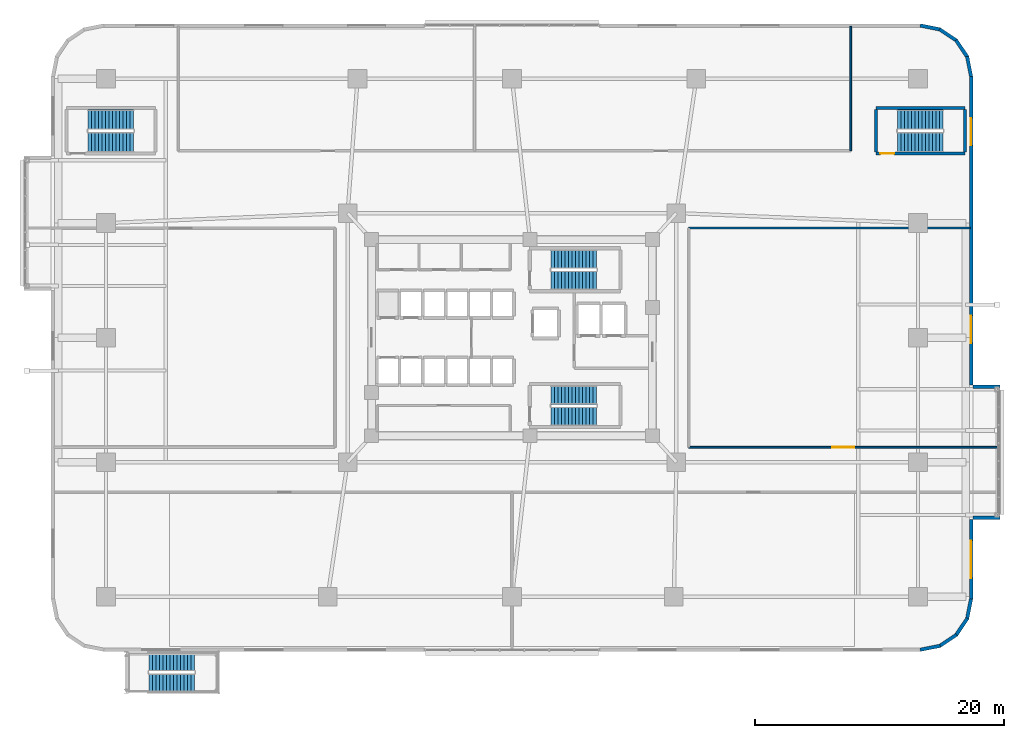
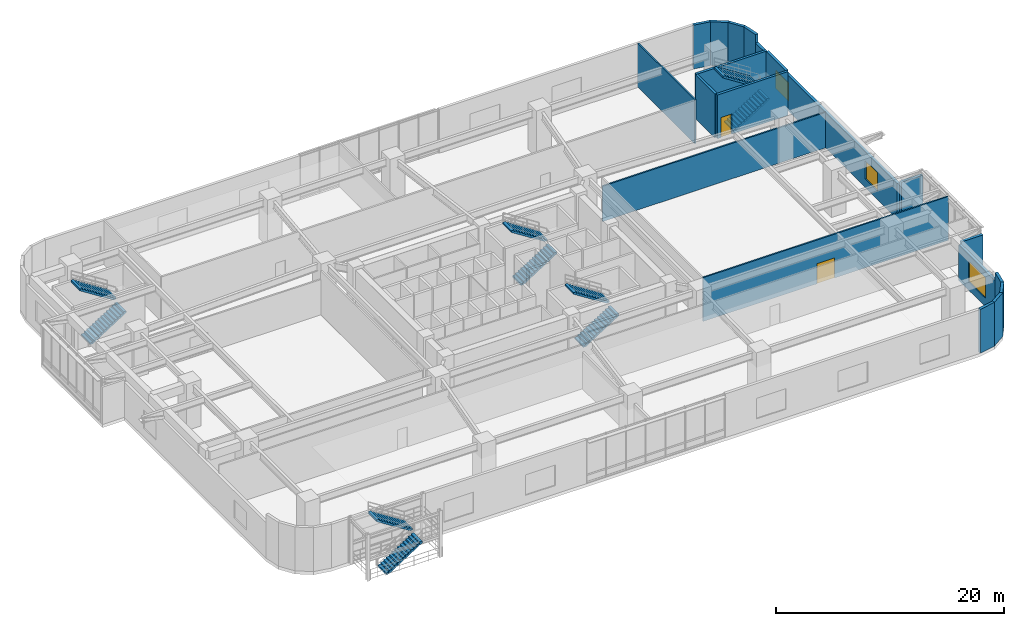
# One storey, part 18 of 23: 19 walls, 10 stair flights, 3 windows, 2 doors, 5 openings, 5 elements without a shape of their own.
"""IFC4 building model written with IfcOpenShell, lengths in metres."""

import ifcopenshell
import ifcopenshell.guid

model = None  # the IFC model being written
_history = None  # IfcOwnerHistory: only IFC2X3 demands one
_inside = {}  # id of a spatial element -> (the spatial element, [elements in it])
_under = {}  # id of a project, library or spatial element -> (it, [spatial elements below it])
_declared = {}  # id of a project -> (the project, [libraries it declares])
_typed = {}  # id of a type object -> (the type object, [elements of that type])
_made_of = {}  # id of a material, layer set ... -> (it, [elements and type objects made of it])


def new_model(schema):
    """Start an empty IFC model of exactly this schema.

    Asked for "IFC4X3", IfcOpenShell would pick the latest addendum, in which some entities
    have other attributes; the version numbers below select the first issue.
    IFC2X3 requires an IfcOwnerHistory on every rooted entity: one is made here for all.
    """
    global model, _history
    if schema == "IFC4X3":
        model = ifcopenshell.file(schema_version=(4, 3, 0, 0))
    else:
        model = ifcopenshell.file(schema=schema)
    _inside.clear()
    _under.clear()
    _declared.clear()
    _typed.clear()
    _made_of.clear()
    _history = None
    if model.schema == "IFC2X3":
        org = make("IfcOrganization", Name="unknown")
        user = make(
            "IfcPersonAndOrganization",
            ThePerson=make("IfcPerson", FamilyName="unknown"),
            TheOrganization=org,
        )
        app = make(
            "IfcApplication",
            ApplicationDeveloper=org,
            Version="unknown",
            ApplicationFullName="unknown",
            ApplicationIdentifier="unknown",
        )
        _history = make(
            "IfcOwnerHistory",
            OwningUser=user,
            OwningApplication=app,
            ChangeAction="ADDED",
            CreationDate=0,
        )
    return model


def make(cls, **values):
    """One entity of the class cls with the attributes given. An attribute that is None is left unset."""
    return model.create_entity(
        cls, **{name: value for name, value in values.items() if value is not None}
    )


def rooted(cls, **values):
    """An entity with a GlobalId (a new one), such as an element, a storey or a relation."""
    return make(cls, GlobalId=ifcopenshell.guid.new(), OwnerHistory=_history, **values)


def si_unit(unit_type, name, prefix=None):
    """IfcSIUnit, for example si_unit("LENGTHUNIT", "METRE", prefix="MILLI")."""
    return make("IfcSIUnit", UnitType=unit_type, Prefix=prefix, Name=name)


def assignment(units):
    """IfcUnitAssignment: the units of a project."""
    return None if units is None else make("IfcUnitAssignment", Units=units)


def point(xyz):
    """IfcCartesianPoint."""
    return None if xyz is None else make("IfcCartesianPoint", Coordinates=xyz)


def direction(xyz):
    """IfcDirection."""
    return None if xyz is None else make("IfcDirection", DirectionRatios=xyz)


def frame(location, z_axis=None, x_axis=None):
    """IfcAxis2Placement3D, a coordinate frame: its origin and axes. An axis left out is left unset."""
    return make(
        "IfcAxis2Placement3D",
        Location=point(location),
        Axis=direction(z_axis),
        RefDirection=direction(x_axis),
    )


def frame_2d(location, x_axis=None):
    """IfcAxis2Placement2D, a coordinate frame in the plane: its origin and x axis."""
    return make(
        "IfcAxis2Placement2D", Location=point(location), RefDirection=direction(x_axis)
    )


def origin():
    """The frame at (0, 0, 0) with its axes left unset."""
    return frame((0.0, 0.0, 0.0))


def place(relative_to, where):
    """IfcLocalPlacement: puts the frame where relative to a parent placement (None: the world)."""
    return make(
        "IfcLocalPlacement", PlacementRelTo=relative_to, RelativePlacement=where
    )


def context(
    kind, dimensions, precision=None, world=None, true_north=None, identifier=None
):
    """IfcGeometricRepresentationContext, for example the 3D "Model" context."""
    return make(
        "IfcGeometricRepresentationContext",
        ContextIdentifier=identifier,
        ContextType=kind,
        CoordinateSpaceDimension=dimensions,
        Precision=precision,
        WorldCoordinateSystem=world,
        TrueNorth=true_north,
    )


def subcontext(parent, identifier, kind, view, scale=None):
    """IfcGeometricRepresentationSubContext, for example "Body" below "Model"."""
    return make(
        "IfcGeometricRepresentationSubContext",
        ContextIdentifier=identifier,
        ContextType=kind,
        ParentContext=parent,
        TargetScale=scale,
        TargetView=view,
    )


def project(units=None, contexts=None):
    """IfcProject with its units and contexts."""
    return rooted(
        "IfcProject",
        Name="project",
        RepresentationContexts=contexts,
        UnitsInContext=assignment(units),
    )


def spatial(cls, under=None, at=None, **own):
    """A site, building, storey or space (cls), placed at a placement, below another one or the project."""
    s = rooted(cls, ObjectPlacement=at, **own)
    if under is not None:
        _under.setdefault(under.id(), (under, []))[1].append(s)
    return s


def polyline(points):
    """IfcPolyline through the points."""
    return make("IfcPolyline", Points=[point(p) for p in points])


def profile(cls, at=None, kind="AREA", **sizes):
    """A parametric profile (cls). Its sizes go by their IFC names, for example OverallWidth=200.0."""
    return make(cls, ProfileType=kind, Position=at, **sizes)


def rectangle(**sizes):
    """IfcRectangleProfileDef."""
    return profile("IfcRectangleProfileDef", **sizes)


def outline(outer, holes=None, kind="AREA"):
    """IfcArbitraryClosedProfileDef: a profile drawn as a closed curve; with holes, ...WithVoids."""
    if holes is None:
        return make("IfcArbitraryClosedProfileDef", ProfileType=kind, OuterCurve=outer)
    return make(
        "IfcArbitraryProfileDefWithVoids",
        ProfileType=kind,
        OuterCurve=outer,
        InnerCurves=holes,
    )


def extrude(swept, where, along, depth):
    """IfcExtrudedAreaSolid: the profile swept, set in the frame where, extruded along a direction by depth."""
    return make(
        "IfcExtrudedAreaSolid",
        SweptArea=swept,
        Position=where,
        ExtrudedDirection=direction(along),
        Depth=depth,
    )


def shape(context_of_items, identifier, shape_type, items):
    """IfcShapeRepresentation: the items that make up one representation, for example the "Body"."""
    return make(
        "IfcShapeRepresentation",
        ContextOfItems=context_of_items,
        RepresentationIdentifier=identifier,
        RepresentationType=shape_type,
        Items=items,
    )


def material(Name=None, Category=None):
    """IfcMaterial."""
    return make("IfcMaterial", Name=Name, Category=Category)


def layer(
    of_material, thickness, ventilated=None, Name=None, Category=None, Priority=None
):
    """IfcMaterialLayer: one layer of a wall or slab, of a material (None: an air gap)."""
    return make(
        "IfcMaterialLayer",
        Material=of_material,
        LayerThickness=thickness,
        IsVentilated=ventilated,
        Name=Name,
        Category=Category,
        Priority=Priority,
    )


def layer_set(layers, Name=None):
    """IfcMaterialLayerSet."""
    return make("IfcMaterialLayerSet", MaterialLayers=layers, LayerSetName=Name)


def made_of(thing, what):
    """Note that an element or type object is made of a material, layer set ...; save() writes the relation."""
    if what is not None:
        _made_of.setdefault(what.id(), (what, []))[1].append(thing)
    return thing


def type_object(cls, material=None, **own):
    """A type object (cls), such as IfcWallType, which elements share."""
    return made_of(rooted(cls, **own), material)


def element(
    cls,
    number,
    at=None,
    inside=None,
    cuts=None,
    type_object=None,
    material=None,
    context=None,
    identifier="Body",
    shape_type=None,
    held_by="IfcProductDefinitionShape",
    body=None,
    shapes=None,
    **own,
):
    """One element of the class cls, such as IfcWall. Its Tag is "e" and its number.

    at: its placement. inside: the storey or other place that contains it. cuts: it is an
    opening in that element (IfcRelVoidsElement). A single representation is given by context,
    identifier, shape_type and body (its items); several are given by shapes. held_by: the class
    of the entity that holds the representations. save() writes the other relations.
    """
    e = rooted(cls, Tag="e%d" % number, ObjectPlacement=at, **own)
    if body is not None:
        shapes = [shape(context, identifier, shape_type, body)]
    if shapes is not None:
        e.Representation = make(held_by, Representations=shapes)
    if inside is not None:
        _inside.setdefault(inside.id(), (inside, []))[1].append(e)
    if cuts is not None:
        rooted(
            "IfcRelVoidsElement", RelatingBuildingElement=cuts, RelatedOpeningElement=e
        )
    if type_object is not None:
        _typed.setdefault(type_object.id(), (type_object, []))[1].append(e)
    return made_of(e, material)


def fill(opening, filler):
    """IfcRelFillsElement: the door or window that sits in an opening."""
    return rooted(
        "IfcRelFillsElement",
        RelatingOpeningElement=opening,
        RelatedBuildingElement=filler,
    )


def aggregate(whole, parts):
    """IfcRelAggregates: a whole, such as a stair, and the parts it consists of."""
    return rooted("IfcRelAggregates", RelatingObject=whole, RelatedObjects=parts)


def save(model, path):
    """Write the relations noted so far, then the file.

    IfcRelAggregates (storeys below a building ...), IfcRelContainedInSpatialStructure (elements
    in a storey), IfcRelDefinesByType, IfcRelAssociatesMaterial and IfcRelDeclares: one each for
    every whole, place, type object, material and project.
    """
    for whole, parts in _under.values():
        aggregate(whole, parts)
    for where, things in _inside.values():
        rooted(
            "IfcRelContainedInSpatialStructure",
            RelatedElements=things,
            RelatingStructure=where,
        )
    for kind, things in _typed.values():
        rooted("IfcRelDefinesByType", RelatedObjects=things, RelatingType=kind)
    for what, things in _made_of.values():
        rooted("IfcRelAssociatesMaterial", RelatedObjects=things, RelatingMaterial=what)
    for by, libraries in _declared.values():
        rooted("IfcRelDeclares", RelatingContext=by, RelatedDefinitions=libraries)
    model.write(path)


model = new_model("IFC4")

# Units and contexts
model_context = context("Model", 3, precision=1e-05, world=origin(), true_north=direction((0.0, 1.0)))
body_context = subcontext(model_context, "Body", "Model", "MODEL_VIEW")
ifc_project = project(units=[si_unit("LENGTHUNIT", "METRE"), si_unit("AREAUNIT", "SQUARE_METRE"), si_unit("VOLUMEUNIT", "CUBIC_METRE"), si_unit("PLANEANGLEUNIT", "RADIAN"), si_unit("MASSUNIT", "GRAM", prefix="KILO")], contexts=[model_context])

# Site, building, storey
site_placement = place(None, origin())
site = spatial("IfcSite", under=ifc_project, at=site_placement, CompositionType="ELEMENT")
building_placement = place(site_placement, origin())
building = spatial("IfcBuilding", under=site, at=building_placement, Name="Zulverin Broadcast Headquarters", CompositionType="ELEMENT")
storey_placement = place(building_placement, frame((0.0, 0.0, 10.0)))
storey = spatial("IfcBuildingStorey", under=building, at=storey_placement, Name="L02", CompositionType="ELEMENT", Elevation=10.0)

# Wall, opening, window
ifc_material_1 = material(Name="Insulated pale-metal clad concrete spandrel C40/50", Category="concrete")
ifc_layer_1 = layer(ifc_material_1, 0.280029296875, Name="Insulated pale-metal clad concrete spandrel C40/50", Category="concrete")
ifc_layer_set_1 = layer_set([ifc_layer_1], Name="Insulated pale-metal clad concrete spandrel C40/50")
wall_type_1 = type_object("IfcWallType", Name="WL-EXT-280", PredefinedType="STANDARD", material=ifc_layer_set_1)
wall_1_placement = place(storey_placement, frame((73.860107421875, 4.199951171875, 0.0), z_axis=(0.0, 0.0, 1.0), x_axis=(0.0, 1.0, 0.0)))
wall_1 = element("IfcWall", 1, at=wall_1_placement, inside=storey, type_object=wall_type_1, Name="L02 Podium Spandrel Wall 1-1", PredefinedType="STANDARD", context=body_context, shape_type="SweptSolid", body=[
    extrude(rectangle(XDim=6.400146484375, YDim=0.280029296875, at=frame_2d((3.2001953125, 0.0))), origin(), (0.0, 0.0, 1.0), 3.780029296875),
])
opening_1_placement = place(wall_1_placement, frame((1.699951171875, 0.0, 0.89990234375)))
opening_1 = element("IfcOpeningElement", 2, at=opening_1_placement, cuts=wall_1, Name="Opening W-L02-E1S11", PredefinedType="OPENING", context=body_context, shape_type="SweptSolid", body=[
    extrude(rectangle(XDim=3.0, YDim=2.199951171875, at=frame_2d((1.5, 1.10009765625))), frame((0.0, 0.14990234375, 0.0), z_axis=(0.0, -1.0, 0.0), x_axis=(1.0, 0.0, 0.0)), (0.0, 0.0, 1.0), 0.300048828125),
])
ifc_material_2 = material(Name="Pale anodized aluminium frame with solar-control low-E double glazing", Category="aluminium")
window_type_1 = type_object("IfcWindowType", Name="WIN-POD-3000", PartitioningType="SINGLE_PANEL", PredefinedType="WINDOW", material=ifc_material_2)
window_1_placement = place(opening_1_placement, origin())
window_1 = element("IfcWindow", 3, at=window_1_placement, inside=storey, type_object=window_type_1, Name="L02 Podium Ribbon Window 1-1 1", OverallHeight=2.199951171875, OverallWidth=3.0, PartitioningType="SINGLE_PANEL", PredefinedType="WINDOW", context=body_context, shape_type="SweptSolid", body=[
    extrude(rectangle(XDim=3.0, YDim=2.199951171875, at=frame_2d((1.5, 1.10009765625))), frame((0.0, 0.030029296875, 0.0), z_axis=(0.0, -1.0, 0.0), x_axis=(1.0, 0.0, 0.0)), (0.0, 0.0, 1.0), 0.06005859375),
])
fill(opening_1, window_1)

# Wall, openings, windows
wall_2_placement = place(storey_placement, frame((73.860107421875, 21.39990234375, 0.0), z_axis=(0.0, 0.0, 1.0), x_axis=(0.0, 1.0, 0.0)))
wall_2 = element("IfcWall", 4, at=wall_2_placement, inside=storey, type_object=wall_type_1, Name="L02 Podium Spandrel Wall 1-2", PredefinedType="STANDARD", context=body_context, shape_type="SweptSolid", body=[
    extrude(rectangle(XDim=24.800048828125, YDim=0.280029296875, at=frame_2d((12.39990234375, 0.0))), origin(), (0.0, 0.0, 1.0), 3.780029296875),
])
opening_2_placement = place(wall_2_placement, frame((3.36669921875, 0.0, 0.89990234375)))
opening_2 = element("IfcOpeningElement", 5, at=opening_2_placement, cuts=wall_2, Name="Opening W-L02-E1S21", PredefinedType="OPENING", context=body_context, shape_type="SweptSolid", body=[
    extrude(rectangle(XDim=2.199951171875, YDim=1.949951171875, at=frame_2d((1.10009765625, 0.97509765625))), frame((0.0, 0.14990234375, 0.0), z_axis=(0.0, -1.0, 0.0), x_axis=(1.0, 0.0, 0.0)), (0.0, 0.0, 1.0), 0.300048828125),
])
opening_3_placement = place(wall_2_placement, frame((19.2333984375, 0.0, 0.89990234375)))
opening_3 = element("IfcOpeningElement", 6, at=opening_3_placement, cuts=wall_2, Name="Opening W-L02-E1S22", PredefinedType="OPENING", context=body_context, shape_type="SweptSolid", body=[
    extrude(rectangle(XDim=2.199951171875, YDim=1.949951171875, at=frame_2d((1.10009765625, 0.97509765625))), frame((0.0, 0.14990234375, 0.0), z_axis=(0.0, -1.0, 0.0), x_axis=(1.0, 0.0, 0.0)), (0.0, 0.0, 1.0), 0.300048828125),
])
window_type_2 = type_object("IfcWindowType", Name="WIN-POD-2200", PartitioningType="SINGLE_PANEL", PredefinedType="WINDOW", material=ifc_material_2)
window_2_placement = place(opening_2_placement, origin())
window_2 = element("IfcWindow", 7, at=window_2_placement, inside=storey, type_object=window_type_2, Name="L02 Podium Ribbon Window 1-2 1", OverallHeight=1.949951171875, OverallWidth=2.199951171875, PartitioningType="SINGLE_PANEL", PredefinedType="WINDOW", context=body_context, shape_type="SweptSolid", body=[
    extrude(rectangle(XDim=2.199951171875, YDim=1.949951171875, at=frame_2d((1.10009765625, 0.97509765625))), frame((0.0, 0.030029296875, 0.0), z_axis=(0.0, -1.0, 0.0), x_axis=(1.0, 0.0, 0.0)), (0.0, 0.0, 1.0), 0.06005859375),
])
fill(opening_2, window_2)
window_3_placement = place(opening_3_placement, origin())
window_3 = element("IfcWindow", 8, at=window_3_placement, inside=storey, type_object=window_type_2, Name="L02 Podium Ribbon Window 1-2 2", OverallHeight=1.949951171875, OverallWidth=2.199951171875, PartitioningType="SINGLE_PANEL", PredefinedType="WINDOW", context=body_context, shape_type="SweptSolid", body=[
    extrude(rectangle(XDim=2.199951171875, YDim=1.949951171875, at=frame_2d((1.10009765625, 0.97509765625))), frame((0.0, 0.030029296875, 0.0), z_axis=(0.0, -1.0, 0.0), x_axis=(1.0, 0.0, 0.0)), (0.0, 0.0, 1.0), 0.06005859375),
])
fill(opening_3, window_3)

# Walls
for number, where, z_axis, x_axis, name in (
    (9, (73.86279296875, 46.172607421875, 0.0), (0.0, 0.0, 1.0), (-0.195142046967, 0.980774990253, 0.0), "L02 Wind-Shaped Corner Spandrel Wall 1-1"),
    (10, (73.56396484375, 47.7294921875, 0.0), (0.0, 0.0, 1.0), (-0.555662407875, 0.831408015643, 0.0), "L02 Wind-Shaped Corner Spandrel Wall 1-2"),
):
    element("IfcWall", number, at=place(storey_placement, frame(where, z_axis=z_axis, x_axis=x_axis)), inside=storey, type_object=wall_type_1, Name=name, PredefinedType="STANDARD", context=body_context, shape_type="SweptSolid", body=[
        extrude(rectangle(XDim=1.638916015625, YDim=0.280029296875, at=frame_2d((0.8193359375, 0.0))), origin(), (0.0, 0.0, 1.0), 4.679931640625),
    ])
wall_3_placement = place(storey_placement, frame((72.69189453125, 49.053466796875, 0.0), z_axis=(0.0, 0.0, 1.0), x_axis=(-0.831430845238, 0.555628247651, 0.0)))
element("IfcWall", 11, at=wall_3_placement, inside=storey, type_object=wall_type_1, Name="L02 Wind-Shaped Corner Spandrel Wall 1-3", PredefinedType="STANDARD", context=body_context, shape_type="SweptSolid", body=[
    extrude(rectangle(XDim=1.638427734375, YDim=0.280029296875, at=frame_2d((0.8193359375, 0.0))), origin(), (0.0, 0.0, 1.0), 4.679931640625),
])
for number, where, z_axis, x_axis, name in (
    (12, (71.3798828125, 49.943115234375, 0.0), (0.0, 0.0, 1.0), (-0.980797825116, 0.195027244885, 0.0), "L02 Wind-Shaped Corner Spandrel Wall 1-4"),
    (13, (69.772705078125, 0.13720703125, 0.0), (0.0, 0.0, 1.0), (0.980769316421, 0.19517056122, 0.0), "L02 Wind-Shaped Corner Spandrel Wall 4-1"),
    (14, (71.32958984375, 0.43603515625, 0.0), (0.0, 0.0, 1.0), (0.831362010656, 0.555731236514, 0.0), "L02 Wind-Shaped Corner Spandrel Wall 4-2"),
    (15, (72.6533203125, 1.30810546875, 0.0), (0.0, 0.0, 1.0), (0.555731236514, 0.831362010656, 0.0), "L02 Wind-Shaped Corner Spandrel Wall 4-3"),
    (16, (73.54296875, 2.6201171875, 0.0), (0.0, 0.0, 1.0), (0.19517056122, 0.980769316421, 0.0), "L02 Wind-Shaped Corner Spandrel Wall 4-4"),
):
    element("IfcWall", number, at=place(storey_placement, frame(where, z_axis=z_axis, x_axis=x_axis)), inside=storey, type_object=wall_type_1, Name=name, PredefinedType="STANDARD", context=body_context, shape_type="SweptSolid", body=[
        extrude(rectangle(XDim=1.638671875, YDim=0.280029296875, at=frame_2d((0.8193359375, 0.0))), origin(), (0.0, 0.0, 1.0), 4.679931640625),
    ])
for number, where, z_axis, x_axis, name in (
    (17, (74.0, 10.739990234375, 0.0), (0.0, 0.0, 1.0), (1.0, 0.0, 0.0), "L02 Shifted Studio Box Cheek Wall SBOX_POD_LOWER_E1-S"),
    (18, (74.0, 21.260009765625, 0.0), (0.0, 0.0, 1.0), (1.0, 0.0, 0.0), "L02 Shifted Studio Box Cheek Wall SBOX_POD_LOWER_E1-N"),
):
    element("IfcWall", number, at=place(storey_placement, frame(where, z_axis=z_axis, x_axis=x_axis)), inside=storey, type_object=wall_type_1, Name=name, PredefinedType="STANDARD", context=body_context, shape_type="SweptSolid", body=[
        extrude(rectangle(XDim=2.199951171875, YDim=0.280029296875, at=frame_2d((1.10009765625, 0.0))), origin(), (0.0, 0.0, 1.0), 3.987060546875),
    ])
ifc_material_3 = material(Name="Fire-rated gypsum stud partition", Category="gypsum")
ifc_layer_2 = layer(ifc_material_3, 0.14990234375, Name="Fire-rated gypsum stud partition", Category="gypsum")
ifc_layer_set_2 = layer_set([ifc_layer_2], Name="Fire-rated gypsum stud partition")
wall_type_2 = type_object("IfcWallType", Name="WL-PART-150", PredefinedType="PARTITIONING", material=ifc_layer_set_2)
wall_4_placement = place(storey_placement, frame((64.199951171875, 40.199951171875, 0.0), z_axis=(0.0, 0.0, 1.0), x_axis=(0.0, 1.0, 0.0)))
element("IfcWall", 19, at=wall_4_placement, inside=storey, type_object=wall_type_2, Name="L02 Gallery Partition Wall CG-01", PredefinedType="PARTITIONING", context=body_context, shape_type="SweptSolid", body=[
    extrude(rectangle(XDim=9.9951171875, YDim=0.14990234375, at=frame_2d((4.99755859375, 0.0))), origin(), (0.0, 0.0, 1.0), 4.679931640625),
])

# Wall, opening, door
wall_5_placement = place(storey_placement, frame((51.199951171875, 16.39990234375, 0.0), z_axis=(0.0, 0.0, 1.0), x_axis=(1.0, 0.0, 0.0)))
wall_5 = element("IfcWall", 20, at=wall_5_placement, inside=storey, type_object=wall_type_2, Name="L02 Gallery Partition Wall CG-09", PredefinedType="PARTITIONING", context=body_context, shape_type="SweptSolid", body=[
    extrude(rectangle(XDim=24.795166015625, YDim=0.14990234375, at=frame_2d((12.3974609375, 0.0))), origin(), (0.0, 0.0, 1.0), 4.679931640625),
])
opening_4_placement = place(wall_5_placement, frame((11.49755859375, 0.0, 0.0)))
opening_4 = element("IfcOpeningElement", 21, at=opening_4_placement, cuts=wall_5, Name="Opening D-L02-STDE", PredefinedType="OPENING", context=body_context, shape_type="SweptSolid", body=[
    extrude(rectangle(XDim=1.800048828125, YDim=2.14990234375, at=frame_2d((0.89990234375, 1.074951171875))), frame((0.0, 0.0849609375, 0.0), z_axis=(0.0, -1.0, 0.0), x_axis=(1.0, 0.0, 0.0)), (0.0, 0.0, 1.0), 0.169921875),
])
ifc_material_4 = material(Name="Acoustic steel studio door", Category="steel")
door_type_1 = type_object("IfcDoorType", Name="DR-STD-1800", OperationType="DOUBLE_DOOR_SINGLE_SWING", PredefinedType="DOOR", material=ifc_material_4)
door_1_placement = place(opening_4_placement, origin())
door_1 = element("IfcDoor", 22, at=door_1_placement, inside=storey, type_object=door_type_1, Name="L02 East Live Television Broadcast Studio Door", OperationType="DOUBLE_DOOR_SINGLE_SWING", OverallHeight=2.14990234375, OverallWidth=1.800048828125, PredefinedType="DOOR", context=body_context, shape_type="SweptSolid", body=[
    extrude(rectangle(XDim=1.800048828125, YDim=2.14990234375, at=frame_2d((0.89990234375, 1.074951171875))), frame((0.0, 0.02490234375, 0.0), z_axis=(0.0, -1.0, 0.0), x_axis=(1.0, 0.0, 0.0)), (0.0, 0.0, 1.0), 0.050048828125),
])
fill(opening_4, door_1)

# Wall
wall_6_placement = place(storey_placement, frame((51.199951171875, 34.0, 0.0), z_axis=(0.0, 0.0, 1.0), x_axis=(1.0, 0.0, 0.0)))
element("IfcWall", 23, at=wall_6_placement, inside=storey, type_object=wall_type_2, Name="L02 Gallery Partition Wall CG-11", PredefinedType="PARTITIONING", context=body_context, shape_type="SweptSolid", body=[
    extrude(rectangle(XDim=22.594970703125, YDim=0.14990234375, at=frame_2d((11.29736328125, 0.0))), origin(), (0.0, 0.0, 1.0), 3.780029296875),
])

# Wall, opening, door
ifc_material_5 = material(Name="Concrete C50/60", Category="concrete")
ifc_layer_3 = layer(ifc_material_5, 0.25, Name="Concrete C50/60", Category="concrete")
ifc_layer_set_3 = layer_set([ifc_layer_3], Name="Concrete C50/60")
wall_type_3 = type_object("IfcWallType", Name="WL-SHAFT-250", PredefinedType="SHEAR", material=ifc_layer_set_3)
wall_7_placement = place(storey_placement, frame((66.22509765625, 39.97509765625, 0.0), z_axis=(0.0, 0.0, 1.0), x_axis=(1.0, 0.0, 0.0)))
wall_7 = element("IfcWall", 24, at=wall_7_placement, inside=storey, type_object=wall_type_3, Name="L02 ST-4 Enclosure Wall S", PredefinedType="SHEAR", context=body_context, shape_type="SweptSolid", body=[
    extrude(rectangle(XDim=7.14990234375, YDim=0.25, at=frame_2d((3.574951171875, 0.0))), origin(), (0.0, 0.0, 1.0), 4.679931640625),
])
opening_5_placement = place(wall_7_placement, frame((0.35009765625, 0.0, 0.0)))
opening_5 = element("IfcOpeningElement", 25, at=opening_5_placement, cuts=wall_7, Name="Opening D-L02-ST-4", PredefinedType="OPENING", context=body_context, shape_type="SweptSolid", body=[
    extrude(rectangle(XDim=1.10009765625, YDim=2.14990234375, at=frame_2d((0.550048828125, 1.074951171875))), frame((0.0, 0.135009765625, 0.0), z_axis=(0.0, -1.0, 0.0), x_axis=(1.0, 0.0, 0.0)), (0.0, 0.0, 1.0), 0.27001953125),
])
ifc_material_6 = material(Name="Fire-rated steel leaf and frame", Category="steel")
door_type_2 = type_object("IfcDoorType", Name="DR-STAIR-1100", OperationType="SINGLE_SWING_LEFT", PredefinedType="DOOR", material=ifc_material_6)
door_2_placement = place(opening_5_placement, origin())
door_2 = element("IfcDoor", 26, at=door_2_placement, inside=storey, type_object=door_type_2, Name="L02 Exit Stair ST-4 Fire Door", OperationType="SINGLE_SWING_RIGHT", OverallHeight=2.14990234375, OverallWidth=1.10009765625, PredefinedType="DOOR", context=body_context, shape_type="SweptSolid", body=[
    extrude(rectangle(XDim=1.10009765625, YDim=2.14990234375, at=frame_2d((0.550048828125, 1.074951171875))), frame((0.0, 0.02490234375, 0.0), z_axis=(0.0, -1.0, 0.0), x_axis=(1.0, 0.0, 0.0)), (0.0, 0.0, 1.0), 0.050048828125),
])
fill(opening_5, door_2)

# Walls
wall_8_placement = place(storey_placement, frame((66.22509765625, 43.625, 0.0), z_axis=(0.0, 0.0, 1.0), x_axis=(1.0, 0.0, 0.0)))
element("IfcWall", 27, at=wall_8_placement, inside=storey, type_object=wall_type_3, Name="L02 ST-4 Enclosure Wall N", PredefinedType="SHEAR", context=body_context, shape_type="SweptSolid", body=[
    extrude(rectangle(XDim=7.14990234375, YDim=0.25, at=frame_2d((3.574951171875, 0.0))), origin(), (0.0, 0.0, 1.0), 4.679931640625),
])
for number, where, z_axis, x_axis, name in (
    (28, (66.22509765625, 40.10009765625, 0.0), (0.0, 0.0, 1.0), (0.0, 1.0, 0.0), "L02 ST-4 Enclosure Wall W"),
    (29, (73.375, 40.10009765625, 0.0), (0.0, 0.0, 1.0), (0.0, 1.0, 0.0), "L02 ST-4 Enclosure Wall E"),
):
    element("IfcWall", number, at=place(storey_placement, frame(where, z_axis=z_axis, x_axis=x_axis)), inside=storey, type_object=wall_type_3, Name=name, PredefinedType="SHEAR", context=body_context, shape_type="SweptSolid", body=[
        extrude(rectangle(XDim=3.39990234375, YDim=0.25, at=frame_2d((1.699951171875, 0.0))), origin(), (0.0, 0.0, 1.0), 4.679931640625),
    ])

# Stair, stair flights
ifc_material_7 = material(Name="Concrete C40/50", Category="concrete")
stair_type_1 = type_object("IfcStairType", Name="ST-CORE-1500", PredefinedType="HALF_TURN_STAIR", material=ifc_material_7)
stair_1_placement = place(storey_placement, origin())
stair_1 = element("IfcStair", 30, at=stair_1_placement, inside=storey, type_object=stair_type_1, Name="L02 Core Exit Stair ST-1", PredefinedType="HALF_TURN_STAIR")
stair_flight_type_1 = type_object("IfcStairFlightType", Name="SF-CORE-1500", PredefinedType="STRAIGHT", material=ifc_material_7)
stair_flight_1_placement = place(storey_placement, frame((40.1298828125, 29.800048828125, 0.0), z_axis=(0.0, 0.0, 1.0), x_axis=(1.0, 0.0, 0.0)))
stair_flight_1 = element("IfcStairFlight", 31, at=stair_flight_1_placement, type_object=stair_flight_type_1, Name="ST-1 flight 1", NumberOfRisers=14, NumberOfTreads=13, PredefinedType="STRAIGHT", RiserHeight=0.178571429, TreadLength=0.28, context=body_context, shape_type="SweptSolid", body=[
    extrude(outline(polyline([(0.0, 0.0), (0.0, 0.178466796875), (0.280029296875, 0.178466796875), (0.280029296875, 0.357177734375), (0.56005859375, 0.357177734375), (0.56005859375, 0.53564453125), (0.840087890625, 0.53564453125), (0.840087890625, 0.71435546875), (1.1201171875, 0.71435546875), (1.1201171875, 0.892822265625), (1.39990234375, 0.892822265625), (1.39990234375, 1.071533203125), (1.679931640625, 1.071533203125), (1.679931640625, 1.25), (1.9599609375, 1.25), (1.9599609375, 1.428466796875), (2.239990234375, 1.428466796875), (2.239990234375, 1.607177734375), (2.52001953125, 1.607177734375), (2.52001953125, 1.78564453125), (2.800048828125, 1.78564453125), (2.800048828125, 1.96435546875), (3.080078125, 1.96435546875), (3.080078125, 2.142822265625), (3.360107421875, 2.142822265625), (3.360107421875, 2.321533203125), (3.639892578125, 2.321533203125), (3.639892578125, 2.5), (3.639892578125, 2.1435546875), (0.27880859375, 0.0), (0.0, 0.0)])), frame((0.0, 0.75, 0.0), z_axis=(0.0, -1.0, 0.0), x_axis=(1.0, 0.0, 0.0)), (0.0, 0.0, 1.0), 1.5),
])
stair_flight_2_placement = place(storey_placement, frame((43.77001953125, 31.5, 2.5), z_axis=(0.0, 0.0, 1.0), x_axis=(-1.0, 0.0, 0.0)))
stair_flight_2 = element("IfcStairFlight", 32, at=stair_flight_2_placement, type_object=stair_flight_type_1, Name="ST-1 flight 2", NumberOfRisers=14, NumberOfTreads=13, PredefinedType="STRAIGHT", RiserHeight=0.178571429, TreadLength=0.28, context=body_context, shape_type="SweptSolid", body=[
    extrude(outline(polyline([(0.0, 0.0), (0.0, 0.178466796875), (0.280029296875, 0.178466796875), (0.280029296875, 0.357177734375), (0.56005859375, 0.357177734375), (0.56005859375, 0.53564453125), (0.840087890625, 0.53564453125), (0.840087890625, 0.71435546875), (1.1201171875, 0.71435546875), (1.1201171875, 0.892822265625), (1.39990234375, 0.892822265625), (1.39990234375, 1.071533203125), (1.679931640625, 1.071533203125), (1.679931640625, 1.25), (1.9599609375, 1.25), (1.9599609375, 1.428466796875), (2.239990234375, 1.428466796875), (2.239990234375, 1.607177734375), (2.52001953125, 1.607177734375), (2.52001953125, 1.78564453125), (2.800048828125, 1.78564453125), (2.800048828125, 1.96435546875), (3.080078125, 1.96435546875), (3.080078125, 2.142822265625), (3.360107421875, 2.142822265625), (3.360107421875, 2.321533203125), (3.639892578125, 2.321533203125), (3.639892578125, 2.5), (3.639892578125, 2.1435546875), (0.27880859375, 0.0), (0.0, 0.0)])), frame((0.0, 0.75, 0.0), z_axis=(0.0, -1.0, 0.0), x_axis=(1.0, 0.0, 0.0)), (0.0, 0.0, 1.0), 1.5),
])
aggregate(stair_1, [stair_flight_1, stair_flight_2])

stair_2_placement = place(storey_placement, origin())
stair_2 = element("IfcStair", 33, at=stair_2_placement, inside=storey, type_object=stair_type_1, Name="L02 Core Exit Stair ST-2", PredefinedType="HALF_TURN_STAIR")
stair_flight_3_placement = place(storey_placement, frame((40.1298828125, 18.89990234375, 0.0), z_axis=(0.0, 0.0, 1.0), x_axis=(1.0, 0.0, 0.0)))
stair_flight_3 = element("IfcStairFlight", 34, at=stair_flight_3_placement, type_object=stair_flight_type_1, Name="ST-2 flight 1", NumberOfRisers=14, NumberOfTreads=13, PredefinedType="STRAIGHT", RiserHeight=0.178571429, TreadLength=0.28, context=body_context, shape_type="SweptSolid", body=[
    extrude(outline(polyline([(0.0, 0.0), (0.0, 0.178466796875), (0.280029296875, 0.178466796875), (0.280029296875, 0.357177734375), (0.56005859375, 0.357177734375), (0.56005859375, 0.53564453125), (0.840087890625, 0.53564453125), (0.840087890625, 0.71435546875), (1.1201171875, 0.71435546875), (1.1201171875, 0.892822265625), (1.39990234375, 0.892822265625), (1.39990234375, 1.071533203125), (1.679931640625, 1.071533203125), (1.679931640625, 1.25), (1.9599609375, 1.25), (1.9599609375, 1.428466796875), (2.239990234375, 1.428466796875), (2.239990234375, 1.607177734375), (2.52001953125, 1.607177734375), (2.52001953125, 1.78564453125), (2.800048828125, 1.78564453125), (2.800048828125, 1.96435546875), (3.080078125, 1.96435546875), (3.080078125, 2.142822265625), (3.360107421875, 2.142822265625), (3.360107421875, 2.321533203125), (3.639892578125, 2.321533203125), (3.639892578125, 2.5), (3.639892578125, 2.1435546875), (0.27880859375, 0.0), (0.0, 0.0)])), frame((0.0, 0.75, 0.0), z_axis=(0.0, -1.0, 0.0), x_axis=(1.0, 0.0, 0.0)), (0.0, 0.0, 1.0), 1.5),
])
stair_flight_4_placement = place(storey_placement, frame((43.77001953125, 20.60009765625, 2.5), z_axis=(0.0, 0.0, 1.0), x_axis=(-1.0, 0.0, 0.0)))
stair_flight_4 = element("IfcStairFlight", 35, at=stair_flight_4_placement, type_object=stair_flight_type_1, Name="ST-2 flight 2", NumberOfRisers=14, NumberOfTreads=13, PredefinedType="STRAIGHT", RiserHeight=0.178571429, TreadLength=0.28, context=body_context, shape_type="SweptSolid", body=[
    extrude(outline(polyline([(0.0, 0.0), (0.0, 0.178466796875), (0.280029296875, 0.178466796875), (0.280029296875, 0.357177734375), (0.56005859375, 0.357177734375), (0.56005859375, 0.53564453125), (0.840087890625, 0.53564453125), (0.840087890625, 0.71435546875), (1.1201171875, 0.71435546875), (1.1201171875, 0.892822265625), (1.39990234375, 0.892822265625), (1.39990234375, 1.071533203125), (1.679931640625, 1.071533203125), (1.679931640625, 1.25), (1.9599609375, 1.25), (1.9599609375, 1.428466796875), (2.239990234375, 1.428466796875), (2.239990234375, 1.607177734375), (2.52001953125, 1.607177734375), (2.52001953125, 1.78564453125), (2.800048828125, 1.78564453125), (2.800048828125, 1.96435546875), (3.080078125, 1.96435546875), (3.080078125, 2.142822265625), (3.360107421875, 2.142822265625), (3.360107421875, 2.321533203125), (3.639892578125, 2.321533203125), (3.639892578125, 2.5), (3.639892578125, 2.1435546875), (0.27880859375, 0.0), (0.0, 0.0)])), frame((0.0, 0.75, 0.0), z_axis=(0.0, -1.0, 0.0), x_axis=(1.0, 0.0, 0.0)), (0.0, 0.0, 1.0), 1.5),
])
aggregate(stair_2, [stair_flight_3, stair_flight_4])

stair_type_2 = type_object("IfcStairType", Name="ST-GDN-1500", PredefinedType="HALF_TURN_STAIR", material=ifc_material_7)
stair_3_placement = place(storey_placement, origin())
stair_3 = element("IfcStair", 36, at=stair_3_placement, inside=storey, type_object=stair_type_2, Name="L02 Exterior Public Garden Stair ST-5", PredefinedType="HALF_TURN_STAIR")
stair_flight_type_2 = type_object("IfcStairFlightType", Name="SF-GDN-1500", PredefinedType="STRAIGHT", material=ifc_material_7)
stair_flight_5_placement = place(storey_placement, frame((7.85009765625, -2.530029296875, 0.0), z_axis=(0.0, 0.0, 1.0), x_axis=(1.0, 0.0, 0.0)))
stair_flight_5 = element("IfcStairFlight", 37, at=stair_flight_5_placement, type_object=stair_flight_type_2, Name="ST-5 flight 1", NumberOfRisers=14, NumberOfTreads=13, PredefinedType="STRAIGHT", RiserHeight=0.178571429, TreadLength=0.28, context=body_context, shape_type="SweptSolid", body=[
    extrude(outline(polyline([(0.0, 0.0), (0.0, 0.178466796875), (0.280029296875, 0.178466796875), (0.280029296875, 0.357177734375), (0.56005859375, 0.357177734375), (0.56005859375, 0.53564453125), (0.840087890625, 0.53564453125), (0.840087890625, 0.71435546875), (1.1201171875, 0.71435546875), (1.1201171875, 0.892822265625), (1.39990234375, 0.892822265625), (1.39990234375, 1.071533203125), (1.679931640625, 1.071533203125), (1.679931640625, 1.25), (1.9599609375, 1.25), (1.9599609375, 1.428466796875), (2.239990234375, 1.428466796875), (2.239990234375, 1.607177734375), (2.52001953125, 1.607177734375), (2.52001953125, 1.78564453125), (2.800048828125, 1.78564453125), (2.800048828125, 1.96435546875), (3.080078125, 1.96435546875), (3.080078125, 2.142822265625), (3.360107421875, 2.142822265625), (3.360107421875, 2.321533203125), (3.639892578125, 2.321533203125), (3.639892578125, 2.5), (3.639892578125, 2.1435546875), (0.27880859375, 0.0), (0.0, 0.0)])), frame((0.0, 0.75, 0.0), z_axis=(0.0, -1.0, 0.0), x_axis=(1.0, 0.0, 0.0)), (0.0, 0.0, 1.0), 1.5),
])
stair_flight_6_placement = place(storey_placement, frame((11.489990234375, -0.830078125, 2.5), z_axis=(0.0, 0.0, 1.0), x_axis=(-1.0, 0.0, 0.0)))
stair_flight_6 = element("IfcStairFlight", 38, at=stair_flight_6_placement, type_object=stair_flight_type_2, Name="ST-5 flight 2", NumberOfRisers=14, NumberOfTreads=13, PredefinedType="STRAIGHT", RiserHeight=0.178571429, TreadLength=0.28, context=body_context, shape_type="SweptSolid", body=[
    extrude(outline(polyline([(0.0, 0.0), (0.0, 0.178466796875), (0.280029296875, 0.178466796875), (0.280029296875, 0.357177734375), (0.56005859375, 0.357177734375), (0.56005859375, 0.53564453125), (0.840087890625, 0.53564453125), (0.840087890625, 0.71435546875), (1.1201171875, 0.71435546875), (1.1201171875, 0.892822265625), (1.39990234375, 0.892822265625), (1.39990234375, 1.071533203125), (1.679931640625, 1.071533203125), (1.679931640625, 1.25), (1.9599609375, 1.25), (1.9599609375, 1.428466796875), (2.239990234375, 1.428466796875), (2.239990234375, 1.607177734375), (2.52001953125, 1.607177734375), (2.52001953125, 1.78564453125), (2.800048828125, 1.78564453125), (2.800048828125, 1.96435546875), (3.080078125, 1.96435546875), (3.080078125, 2.142822265625), (3.360107421875, 2.142822265625), (3.360107421875, 2.321533203125), (3.639892578125, 2.321533203125), (3.639892578125, 2.5), (3.639892578125, 2.1435546875), (0.27880859375, 0.0), (0.0, 0.0)])), frame((0.0, 0.75, 0.0), z_axis=(0.0, -1.0, 0.0), x_axis=(1.0, 0.0, 0.0)), (0.0, 0.0, 1.0), 1.5),
])
aggregate(stair_3, [stair_flight_5, stair_flight_6])

stair_type_3 = type_object("IfcStairType", Name="ST-POD-1600", PredefinedType="HALF_TURN_STAIR", material=ifc_material_7)
stair_4_placement = place(storey_placement, origin())
stair_4 = element("IfcStair", 39, at=stair_4_placement, inside=storey, type_object=stair_type_3, Name="L02 Podium Exit Stair ST-3", PredefinedType="HALF_TURN_STAIR")
stair_flight_type_3 = type_object("IfcStairFlightType", Name="SF-POD-1600", PredefinedType="STRAIGHT", material=ifc_material_7)
stair_flight_7_placement = place(storey_placement, frame((2.969970703125, 40.89990234375, 0.0), z_axis=(0.0, 0.0, 1.0), x_axis=(1.0, 0.0, 0.0)))
stair_flight_7 = element("IfcStairFlight", 40, at=stair_flight_7_placement, type_object=stair_flight_type_3, Name="ST-3 flight 1", NumberOfRisers=14, NumberOfTreads=13, PredefinedType="STRAIGHT", RiserHeight=0.178571429, TreadLength=0.28, context=body_context, shape_type="SweptSolid", body=[
    extrude(outline(polyline([(0.0, 0.0), (0.0, 0.178466796875), (0.280029296875, 0.178466796875), (0.280029296875, 0.357177734375), (0.56005859375, 0.357177734375), (0.56005859375, 0.53564453125), (0.840087890625, 0.53564453125), (0.840087890625, 0.71435546875), (1.1201171875, 0.71435546875), (1.1201171875, 0.892822265625), (1.39990234375, 0.892822265625), (1.39990234375, 1.071533203125), (1.679931640625, 1.071533203125), (1.679931640625, 1.25), (1.9599609375, 1.25), (1.9599609375, 1.428466796875), (2.239990234375, 1.428466796875), (2.239990234375, 1.607177734375), (2.52001953125, 1.607177734375), (2.52001953125, 1.78564453125), (2.800048828125, 1.78564453125), (2.800048828125, 1.96435546875), (3.080078125, 1.96435546875), (3.080078125, 2.142822265625), (3.360107421875, 2.142822265625), (3.360107421875, 2.321533203125), (3.639892578125, 2.321533203125), (3.639892578125, 2.5), (3.639892578125, 2.1435546875), (0.27880859375, 0.0), (0.0, 0.0)])), frame((0.0, 0.800048828125, 0.0), z_axis=(0.0, -1.0, 0.0), x_axis=(1.0, 0.0, 0.0)), (0.0, 0.0, 1.0), 1.60009765625),
])
stair_flight_8_placement = place(storey_placement, frame((6.610107421875, 42.699951171875, 2.5), z_axis=(0.0, 0.0, 1.0), x_axis=(-1.0, 0.0, 0.0)))
stair_flight_8 = element("IfcStairFlight", 41, at=stair_flight_8_placement, type_object=stair_flight_type_3, Name="ST-3 flight 2", NumberOfRisers=14, NumberOfTreads=13, PredefinedType="STRAIGHT", RiserHeight=0.178571429, TreadLength=0.28, context=body_context, shape_type="SweptSolid", body=[
    extrude(outline(polyline([(0.0, 0.0), (0.0, 0.178466796875), (0.280029296875, 0.178466796875), (0.280029296875, 0.357177734375), (0.56005859375, 0.357177734375), (0.56005859375, 0.53564453125), (0.840087890625, 0.53564453125), (0.840087890625, 0.71435546875), (1.1201171875, 0.71435546875), (1.1201171875, 0.892822265625), (1.39990234375, 0.892822265625), (1.39990234375, 1.071533203125), (1.679931640625, 1.071533203125), (1.679931640625, 1.25), (1.9599609375, 1.25), (1.9599609375, 1.428466796875), (2.239990234375, 1.428466796875), (2.239990234375, 1.607177734375), (2.52001953125, 1.607177734375), (2.52001953125, 1.78564453125), (2.800048828125, 1.78564453125), (2.800048828125, 1.96435546875), (3.080078125, 1.96435546875), (3.080078125, 2.142822265625), (3.360107421875, 2.142822265625), (3.360107421875, 2.321533203125), (3.639892578125, 2.321533203125), (3.639892578125, 2.5), (3.639892578125, 2.1435546875), (0.27880859375, 0.0), (0.0, 0.0)])), frame((0.0, 0.800048828125, 0.0), z_axis=(0.0, -1.0, 0.0), x_axis=(1.0, 0.0, 0.0)), (0.0, 0.0, 1.0), 1.60009765625),
])
aggregate(stair_4, [stair_flight_7, stair_flight_8])

stair_5_placement = place(storey_placement, origin())
stair_5 = element("IfcStair", 42, at=stair_5_placement, inside=storey, type_object=stair_type_3, Name="L02 Podium Exit Stair ST-4", PredefinedType="HALF_TURN_STAIR")
stair_flight_9_placement = place(storey_placement, frame((67.969970703125, 40.89990234375, 0.0), z_axis=(0.0, 0.0, 1.0), x_axis=(1.0, 0.0, 0.0)))
stair_flight_9 = element("IfcStairFlight", 43, at=stair_flight_9_placement, type_object=stair_flight_type_3, Name="ST-4 flight 1", NumberOfRisers=14, NumberOfTreads=13, PredefinedType="STRAIGHT", RiserHeight=0.178571429, TreadLength=0.28, context=body_context, shape_type="SweptSolid", body=[
    extrude(outline(polyline([(0.0, 0.0), (0.0, 0.178466796875), (0.280029296875, 0.178466796875), (0.280029296875, 0.357177734375), (0.56005859375, 0.357177734375), (0.56005859375, 0.53564453125), (0.840087890625, 0.53564453125), (0.840087890625, 0.71435546875), (1.1201171875, 0.71435546875), (1.1201171875, 0.892822265625), (1.39990234375, 0.892822265625), (1.39990234375, 1.071533203125), (1.679931640625, 1.071533203125), (1.679931640625, 1.25), (1.9599609375, 1.25), (1.9599609375, 1.428466796875), (2.239990234375, 1.428466796875), (2.239990234375, 1.607177734375), (2.52001953125, 1.607177734375), (2.52001953125, 1.78564453125), (2.800048828125, 1.78564453125), (2.800048828125, 1.96435546875), (3.080078125, 1.96435546875), (3.080078125, 2.142822265625), (3.360107421875, 2.142822265625), (3.360107421875, 2.321533203125), (3.639892578125, 2.321533203125), (3.639892578125, 2.5), (3.639892578125, 2.1435546875), (0.27880859375, 0.0), (0.0, 0.0)])), frame((0.0, 0.800048828125, 0.0), z_axis=(0.0, -1.0, 0.0), x_axis=(1.0, 0.0, 0.0)), (0.0, 0.0, 1.0), 1.60009765625),
])
stair_flight_10_placement = place(storey_placement, frame((71.610107421875, 42.699951171875, 2.5), z_axis=(0.0, 0.0, 1.0), x_axis=(-1.0, 0.0, 0.0)))
stair_flight_10 = element("IfcStairFlight", 44, at=stair_flight_10_placement, type_object=stair_flight_type_3, Name="ST-4 flight 2", NumberOfRisers=14, NumberOfTreads=13, PredefinedType="STRAIGHT", RiserHeight=0.178571429, TreadLength=0.28, context=body_context, shape_type="SweptSolid", body=[
    extrude(outline(polyline([(0.0, 0.0), (0.0, 0.178466796875), (0.280029296875, 0.178466796875), (0.280029296875, 0.357177734375), (0.56005859375, 0.357177734375), (0.56005859375, 0.53564453125), (0.840087890625, 0.53564453125), (0.840087890625, 0.71435546875), (1.1201171875, 0.71435546875), (1.1201171875, 0.892822265625), (1.39990234375, 0.892822265625), (1.39990234375, 1.071533203125), (1.679931640625, 1.071533203125), (1.679931640625, 1.25), (1.9599609375, 1.25), (1.9599609375, 1.428466796875), (2.239990234375, 1.428466796875), (2.239990234375, 1.607177734375), (2.52001953125, 1.607177734375), (2.52001953125, 1.78564453125), (2.800048828125, 1.78564453125), (2.800048828125, 1.96435546875), (3.080078125, 1.96435546875), (3.080078125, 2.142822265625), (3.360107421875, 2.142822265625), (3.360107421875, 2.321533203125), (3.639892578125, 2.321533203125), (3.639892578125, 2.5), (3.639892578125, 2.1435546875), (0.27880859375, 0.0), (0.0, 0.0)])), frame((0.0, 0.800048828125, 0.0), z_axis=(0.0, -1.0, 0.0), x_axis=(1.0, 0.0, 0.0)), (0.0, 0.0, 1.0), 1.60009765625),
])
aggregate(stair_5, [stair_flight_9, stair_flight_10])

save(model, "model.ifc")
